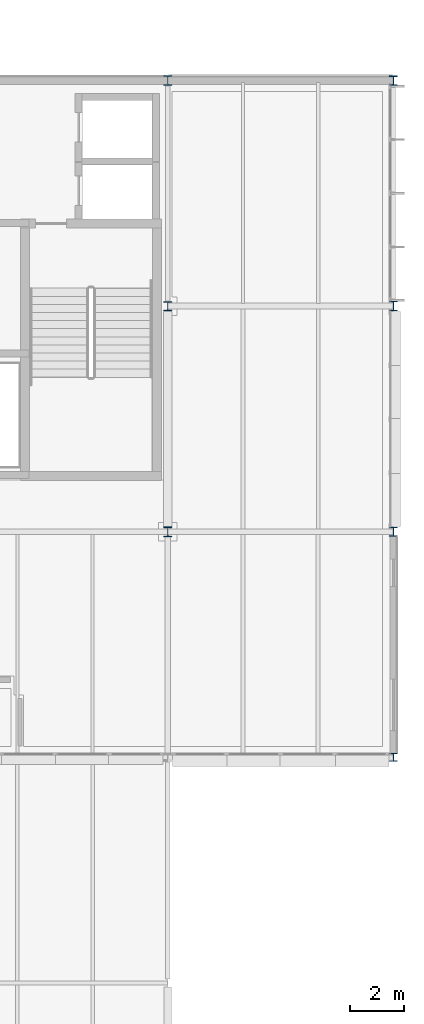
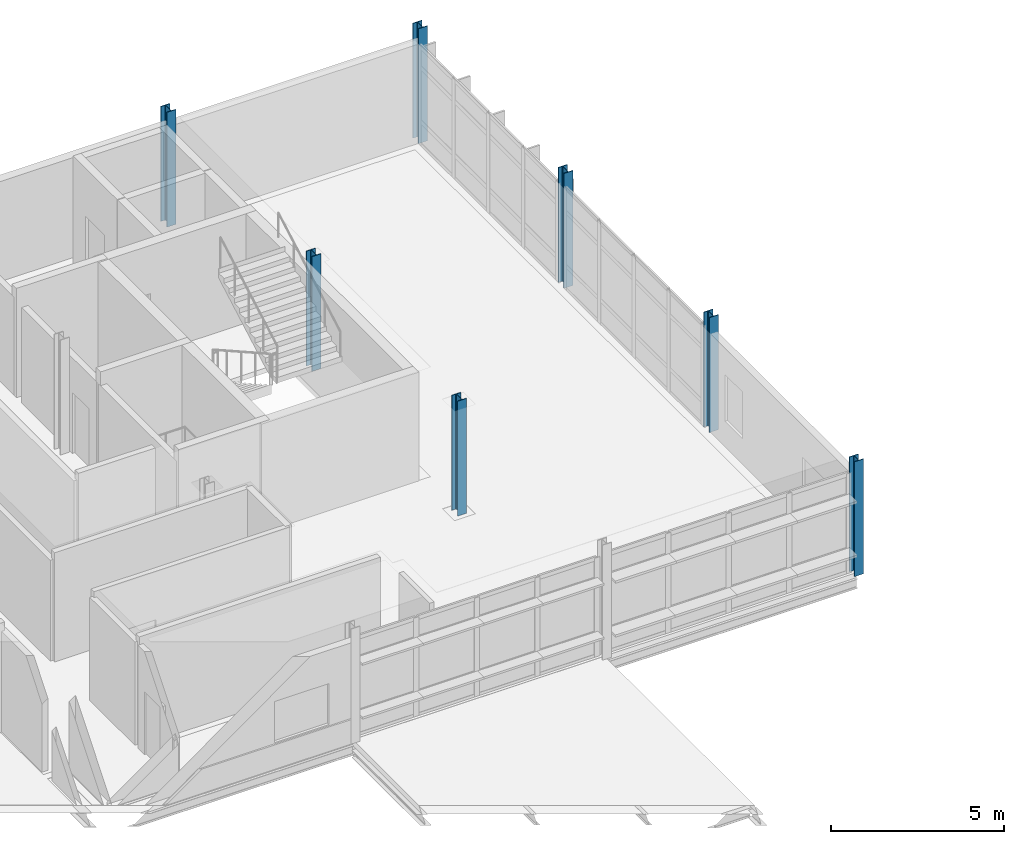
# One storey, part 7 of 57: 7 columns.
"""IFC4 building model written with IfcOpenShell, lengths in metres."""

from ifc_helpers import new_model, si_unit, direction, frame, origin, origin_2d, place, context, subcontext, project, spatial, i_section, extrude, material, material_profile, profile_set, type_object, element, save


model = new_model("IFC4")

# Units and contexts
model_context = context("Model", 3, precision=1e-05, world=origin(), true_north=direction((0.0, 1.0)))
body_context = subcontext(model_context, "Body", "Model", "MODEL_VIEW")
ifc_project = project(units=[si_unit("LENGTHUNIT", "METRE"), si_unit("AREAUNIT", "SQUARE_METRE"), si_unit("VOLUMEUNIT", "CUBIC_METRE"), si_unit("PLANEANGLEUNIT", "RADIAN"), si_unit("MASSUNIT", "GRAM", prefix="KILO")], contexts=[model_context])

# Site, building, storey
site_placement = place(None, origin())
site = spatial("IfcSite", under=ifc_project, at=site_placement, CompositionType="ELEMENT")
building_placement = place(site_placement, origin())
building = spatial("IfcBuilding", under=site, at=building_placement, Name="Mersafa Astral City Hall", CompositionType="ELEMENT")
storey_placement = place(building_placement, frame((0.0, 0.0, 26.10009765625)))
storey = spatial("IfcBuildingStorey", under=building, at=storey_placement, Name="L06", CompositionType="ELEMENT", Elevation=26.10009765625)

# Columns
ifc_material = material(Name="Steel S355", Category="steel")
ifc_material_profile_1 = material_profile(ifc_material, i_section(OverallWidth=0.300048828125, OverallDepth=0.300048828125, WebThickness=0.010986328125, FlangeThickness=0.01904296875, FilletRadius=0.027099609375, at=origin_2d()), Name="HEB 300")
ifc_profile_set_1 = profile_set([ifc_material_profile_1], Name="Steel S355")
column_type_1 = type_object("IfcColumnType", Name="STR-COL-HEB300", PredefinedType="COLUMN", material=ifc_profile_set_1)
column_placement = place(storey_placement, frame((184.800048828125, 100.800048828125, 0.0), z_axis=(0.0, 0.0, 1.0), x_axis=(1.0, 0.0, 0.0)))
element("IfcColumn", 1, at=column_placement, inside=storey, type_object=column_type_1, Name="L06 Structural column G-22-12", PredefinedType="COLUMN", context=body_context, shape_type="SweptSolid", body=[
    extrude(i_section(OverallWidth=0.300048828125, OverallDepth=0.300048828125, WebThickness=0.010986328125, FlangeThickness=0.01904296875, FilletRadius=0.027099609375, at=origin_2d()), origin(), (0.0, 0.0, 1.0), 4.0498046875),
])
ifc_material_profile_2 = material_profile(ifc_material, i_section(OverallWidth=0.300048828125, OverallDepth=0.340087890625, WebThickness=0.011962890625, FlangeThickness=0.021484375, FilletRadius=0.027099609375, at=origin_2d()), Name="HEB 340")
ifc_profile_set_2 = profile_set([ifc_material_profile_2], Name="Steel S355")
column_type_2 = type_object("IfcColumnType", Name="STR-COL-HEB340", PredefinedType="COLUMN", material=ifc_profile_set_2)
for number, where, z_axis, x_axis, name in (
    (2, (176.39990234375, 117.60009765625, 0.0), (0.0, 0.0, 1.0), (1.0, 0.0, 0.0), "L06 Structural column G-21-14"),
    (3, (184.800048828125, 109.199951171875, 0.0), (0.0, 0.0, 1.0), (1.0, 0.0, 0.0), "L06 Structural column G-22-13"),
    (4, (184.800048828125, 126.0, 0.0), (0.0, 0.0, 1.0), (1.0, 0.0, 0.0), "L06 Structural column G-22-15"),
):
    element("IfcColumn", number, at=place(storey_placement, frame(where, z_axis=z_axis, x_axis=x_axis)), inside=storey, type_object=column_type_2, Name=name, PredefinedType="COLUMN", context=body_context, shape_type="SweptSolid", body=[
        extrude(i_section(OverallWidth=0.300048828125, OverallDepth=0.340087890625, WebThickness=0.011962890625, FlangeThickness=0.021484375, FilletRadius=0.027099609375, at=origin_2d()), origin(), (0.0, 0.0, 1.0), 4.0498046875),
    ])
ifc_material_profile_3 = material_profile(ifc_material, i_section(OverallWidth=0.300048828125, OverallDepth=0.360107421875, WebThickness=0.012451171875, FlangeThickness=0.0224609375, FilletRadius=0.027099609375, at=origin_2d()), Name="HEB 360")
ifc_profile_set_3 = profile_set([ifc_material_profile_3], Name="Steel S355")
column_type_3 = type_object("IfcColumnType", Name="STR-COL-HEB360", PredefinedType="COLUMN", material=ifc_profile_set_3)
for number, where, z_axis, x_axis, name in (
    (5, (176.39990234375, 109.199951171875, 0.0), (0.0, 0.0, 1.0), (1.0, 0.0, 0.0), "L06 Structural column G-21-13"),
    (6, (176.39990234375, 126.0, 0.0), (0.0, 0.0, 1.0), (1.0, 0.0, 0.0), "L06 Structural column G-21-15"),
    (7, (184.800048828125, 117.60009765625, 0.0), (0.0, 0.0, 1.0), (1.0, 0.0, 0.0), "L06 Structural column G-22-14"),
):
    element("IfcColumn", number, at=place(storey_placement, frame(where, z_axis=z_axis, x_axis=x_axis)), inside=storey, type_object=column_type_3, Name=name, PredefinedType="COLUMN", context=body_context, shape_type="SweptSolid", body=[
        extrude(i_section(OverallWidth=0.300048828125, OverallDepth=0.360107421875, WebThickness=0.012451171875, FlangeThickness=0.0224609375, FilletRadius=0.027099609375, at=origin_2d()), origin(), (0.0, 0.0, 1.0), 4.0498046875),
    ])

save(model, "model.ifc")
